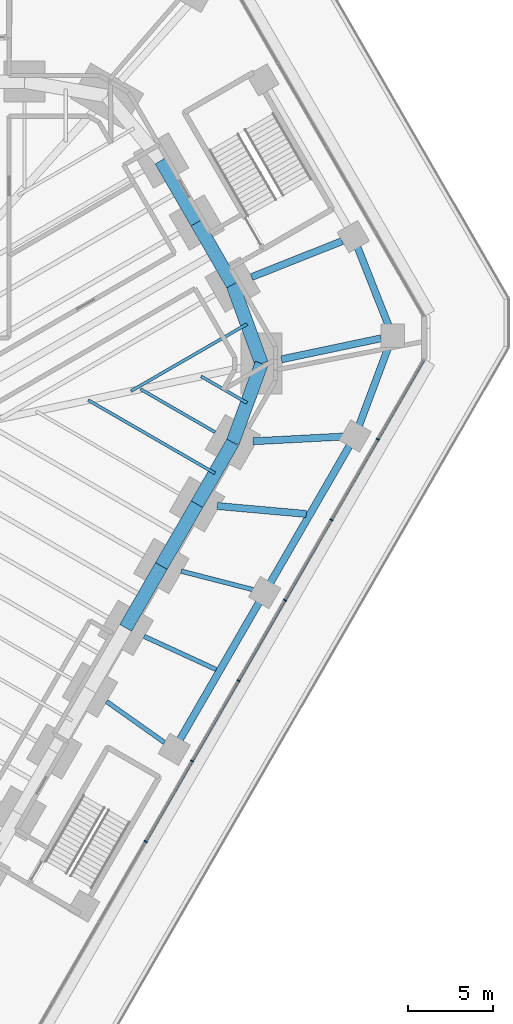
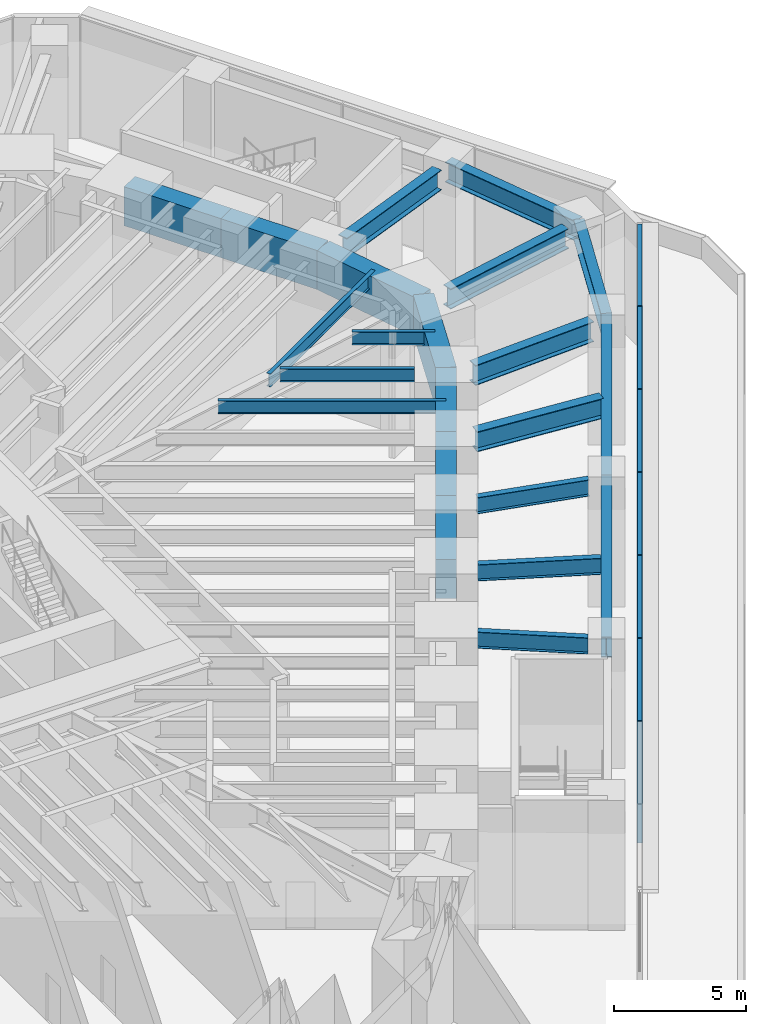
# One storey, part 8 of 24: 22 beams, 12 members, 1 element without a shape of its own.
"""IFC4 building model written with IfcOpenShell, lengths in metres."""

from ifc_helpers import new_model, si_unit, direction, frame, origin, origin_2d, place, context, subcontext, project, spatial, rectangle, i_section, extrude, material, material_profile, profile_set, type_object, element, aggregate, save


model = new_model("IFC4")

# Units and contexts
model_context = context("Model", 3, precision=1e-05, world=origin(), true_north=direction((0.0, 1.0)))
body_context = subcontext(model_context, "Body", "Model", "MODEL_VIEW")
ifc_project = project(units=[si_unit("LENGTHUNIT", "METRE"), si_unit("AREAUNIT", "SQUARE_METRE"), si_unit("VOLUMEUNIT", "CUBIC_METRE"), si_unit("PLANEANGLEUNIT", "RADIAN"), si_unit("MASSUNIT", "GRAM", prefix="KILO")], contexts=[model_context])

# Site, building, storey
site_placement = place(None, origin())
site = spatial("IfcSite", under=ifc_project, at=site_placement, CompositionType="ELEMENT")
building_placement = place(site_placement, origin())
building = spatial("IfcBuilding", under=site, at=building_placement, Name="Sandreach Pilgrim Tower", CompositionType="ELEMENT")
storey_placement = place(building_placement, frame((0.0, 0.0, 12.0)))
storey = spatial("IfcBuildingStorey", under=building, at=storey_placement, Name="L02", CompositionType="ELEMENT", Elevation=12.0)

# Curtain wall, members
ifc_material_1 = material(Name="Aluminium framed curtain wall", Category="aluminium")
curtain_wall_type = type_object("IfcCurtainWallType", Name="Podium storefront curtain wall", PredefinedType="NOTDEFINED", material=ifc_material_1)
curtain_wall_placement = place(storey_placement, origin())
curtain_wall = element("IfcCurtainWall", 1, at=curtain_wall_placement, inside=storey, type_object=curtain_wall_type, Name="CW-P L02 SE", PredefinedType="NOTDEFINED")
ifc_material_2 = material(Name="Aluminium extrusion", Category="aluminium")
ifc_material_profile_1 = material_profile(ifc_material_2, rectangle(XDim=0.070068359375, YDim=0.199951171875, at=origin_2d()), Name="CW-PM 70X200")
ifc_profile_set_1 = profile_set([ifc_material_profile_1], Name="Aluminium extrusion")
member_type_1 = type_object("IfcMemberType", Name="CW-P mullion", PredefinedType="MULLION", material=ifc_profile_set_1)
member_1_placement = place(storey_placement, frame((35.56982421875, 1.5869140625, 0.0), z_axis=(0.0, 0.0, 1.0), x_axis=(-0.5, -0.866025403784, 0.0)))
member_1 = element("IfcMember", 2, at=member_1_placement, type_object=member_type_1, Name="CW-P mullion 2", PredefinedType="MULLION", context=body_context, shape_type="SweptSolid", body=[
    extrude(rectangle(XDim=0.070068359375, YDim=0.199951171875, at=origin_2d()), origin(), (0.0, 0.0, 1.0), 5.60009765625),
])
member_2_placement = place(storey_placement, frame((32.832763671875, -3.153564453125, 0.0), z_axis=(0.0, 0.0, 1.0), x_axis=(-0.5, -0.866025403784, 0.0)))
member_2 = element("IfcMember", 3, at=member_2_placement, type_object=member_type_1, Name="CW-P mullion 3", PredefinedType="MULLION", context=body_context, shape_type="SweptSolid", body=[
    extrude(rectangle(XDim=0.070068359375, YDim=0.199951171875, at=origin_2d()), origin(), (0.0, 0.0, 1.0), 5.60009765625),
])
member_3_placement = place(storey_placement, frame((30.095703125, -7.894287109375, 0.0), z_axis=(0.0, 0.0, 1.0), x_axis=(-0.5, -0.866025403784, 0.0)))
member_3 = element("IfcMember", 4, at=member_3_placement, type_object=member_type_1, Name="CW-P mullion 4", PredefinedType="MULLION", context=body_context, shape_type="SweptSolid", body=[
    extrude(rectangle(XDim=0.070068359375, YDim=0.199951171875, at=origin_2d()), origin(), (0.0, 0.0, 1.0), 5.60009765625),
])
member_4_placement = place(storey_placement, frame((27.358642578125, -12.635009765625, 0.0), z_axis=(0.0, 0.0, 1.0), x_axis=(-0.5, -0.866025403784, 0.0)))
member_4 = element("IfcMember", 5, at=member_4_placement, type_object=member_type_1, Name="CW-P mullion 5", PredefinedType="MULLION", context=body_context, shape_type="SweptSolid", body=[
    extrude(rectangle(XDim=0.070068359375, YDim=0.199951171875, at=origin_2d()), origin(), (0.0, 0.0, 1.0), 5.60009765625),
])
member_5_placement = place(storey_placement, frame((24.62158203125, -17.375732421875, 0.0), z_axis=(0.0, 0.0, 1.0), x_axis=(-0.5, -0.866025403784, 0.0)))
member_5 = element("IfcMember", 6, at=member_5_placement, type_object=member_type_1, Name="CW-P mullion 6", PredefinedType="MULLION", context=body_context, shape_type="SweptSolid", body=[
    extrude(rectangle(XDim=0.070068359375, YDim=0.199951171875, at=origin_2d()), origin(), (0.0, 0.0, 1.0), 5.60009765625),
])
member_6_placement = place(storey_placement, frame((21.884521484375, -22.116455078125, 0.0), z_axis=(0.0, 0.0, 1.0), x_axis=(-0.5, -0.866025403784, 0.0)))
member_6 = element("IfcMember", 7, at=member_6_placement, type_object=member_type_1, Name="CW-P mullion 7", PredefinedType="MULLION", context=body_context, shape_type="SweptSolid", body=[
    extrude(rectangle(XDim=0.070068359375, YDim=0.199951171875, at=origin_2d()), origin(), (0.0, 0.0, 1.0), 5.60009765625),
])
ifc_material_3 = material(Name="Aluminium extrusion", Category="aluminium")
ifc_material_profile_2 = material_profile(ifc_material_3, rectangle(XDim=0.159912109375, YDim=0.070068359375, at=origin_2d()), Name="CW-PT 160X70")
ifc_profile_set_2 = profile_set([ifc_material_profile_2], Name="Aluminium extrusion")
member_type_2 = type_object("IfcMemberType", Name="CW-P transom", PredefinedType="USERDEFINED", material=ifc_profile_set_2)
member_7_placement = place(storey_placement, frame((38.27197265625, 6.26708984375, 5.56494140625), z_axis=(-0.500012418066, -0.866018234092, 0.0), x_axis=(0.866018234092, -0.500012418066, 0.0)))
member_7 = element("IfcMember", 8, at=member_7_placement, type_object=member_type_2, Name="CW-P head transom 1", ObjectType="TRANSOM", PredefinedType="USERDEFINED", context=body_context, shape_type="SweptSolid", body=[
    extrude(rectangle(XDim=0.159912109375, YDim=0.070068359375, at=origin_2d()), origin(), (0.0, 0.0, 1.0), 5.368896484375),
])
member_8_placement = place(storey_placement, frame((35.55224609375, 1.556640625, 5.56494140625), z_axis=(-0.499992297805, -0.866029850603, 0.0), x_axis=(0.866029850603, -0.499992297805, 0.0)))
member_8 = element("IfcMember", 9, at=member_8_placement, type_object=member_type_2, Name="CW-P head transom 2", ObjectType="TRANSOM", PredefinedType="USERDEFINED", context=body_context, shape_type="SweptSolid", body=[
    extrude(rectangle(XDim=0.159912109375, YDim=0.070068359375, at=origin_2d()), origin(), (0.0, 0.0, 1.0), 5.40380859375),
])
member_9_placement = place(storey_placement, frame((32.8154296875, -3.18408203125, 5.56494140625), z_axis=(-0.500026181004, -0.866010287647, 0.0), x_axis=(0.866010287647, -0.500026181004, 0.0)))
member_9 = element("IfcMember", 10, at=member_9_placement, type_object=member_type_2, Name="CW-P head transom 3", ObjectType="TRANSOM", PredefinedType="USERDEFINED", context=body_context, shape_type="SweptSolid", body=[
    extrude(rectangle(XDim=0.159912109375, YDim=0.070068359375, at=origin_2d()), origin(), (0.0, 0.0, 1.0), 5.404052734375),
])
member_10_placement = place(storey_placement, frame((30.078369140625, -7.9248046875, 5.56494140625), z_axis=(-0.500026181004, -0.866010287647, 0.0), x_axis=(0.866010287647, -0.500026181004, 0.0)))
member_10 = element("IfcMember", 11, at=member_10_placement, type_object=member_type_2, Name="CW-P head transom 4", ObjectType="TRANSOM", PredefinedType="USERDEFINED", context=body_context, shape_type="SweptSolid", body=[
    extrude(rectangle(XDim=0.159912109375, YDim=0.070068359375, at=origin_2d()), origin(), (0.0, 0.0, 1.0), 5.404052734375),
])
member_11_placement = place(storey_placement, frame((27.34130859375, -12.665283203125, 5.56494140625), z_axis=(-0.500006618465, -0.866021582578, 0.0), x_axis=(0.866021582578, -0.500006618465, 0.0)))
member_11 = element("IfcMember", 12, at=member_11_placement, type_object=member_type_2, Name="CW-P head transom 5", ObjectType="TRANSOM", PredefinedType="USERDEFINED", context=body_context, shape_type="SweptSolid", body=[
    extrude(rectangle(XDim=0.159912109375, YDim=0.070068359375, at=origin_2d()), origin(), (0.0, 0.0, 1.0), 5.404296875),
])
member_12_placement = place(storey_placement, frame((24.604248046875, -17.406005859375, 5.56494140625), z_axis=(-0.500006618465, -0.866021582578, 0.0), x_axis=(0.866021582578, -0.500006618465, 0.0)))
member_12 = element("IfcMember", 13, at=member_12_placement, type_object=member_type_2, Name="CW-P head transom 6", ObjectType="TRANSOM", PredefinedType="USERDEFINED", context=body_context, shape_type="SweptSolid", body=[
    extrude(rectangle(XDim=0.159912109375, YDim=0.070068359375, at=origin_2d()), origin(), (0.0, 0.0, 1.0), 5.404296875),
])
aggregate(curtain_wall, [member_1, member_2, member_3, member_4, member_5, member_6, member_7, member_8, member_9, member_10, member_11, member_12])

# Beams
ifc_material_4 = material(Name="Steel ASTM A992 Grade 50", Category="steel")
ifc_material_profile_3 = material_profile(ifc_material_4, i_section(OverallWidth=0.1787109375, OverallDepth=0.60205078125, WebThickness=0.010986328125, FlangeThickness=0.014892578125, at=origin_2d()), Name="W24X62")
ifc_profile_set_3 = profile_set([ifc_material_profile_3], Name="Steel ASTM A992 Grade 50")
beam_type_1 = type_object("IfcBeamType", Name="Floor beam W24X62", PredefinedType="BEAM", material=ifc_profile_set_3)
beam_1_placement = place(storey_placement, frame((25.97705078125, 2.016357421875, 5.5390625), z_axis=(-0.866027897259, 0.49999568115, 0.0), x_axis=(-0.49999568115, -0.866027897259, 0.0)))
element("IfcBeam", 14, at=beam_1_placement, inside=storey, type_object=beam_type_1, Name="BM L02 F14", PredefinedType="BEAM", context=body_context, shape_type="SweptSolid", body=[
    extrude(i_section(OverallWidth=0.1787109375, OverallDepth=0.60205078125, WebThickness=0.010986328125, FlangeThickness=0.014892578125, at=origin_2d()), origin(), (0.0, 0.0, 1.0), 5.0791015625),
])
beam_2_placement = place(storey_placement, frame((27.861328125, 8.390380859375, 5.5390625), z_axis=(-0.866028778003, -0.499994155636, 0.0), x_axis=(0.499994155636, -0.866028778003, 0.0)))
element("IfcBeam", 15, at=beam_2_placement, inside=storey, type_object=beam_type_1, Name="BM L02 FM12", PredefinedType="BEAM", context=body_context, shape_type="SweptSolid", body=[
    extrude(i_section(OverallWidth=0.1787109375, OverallDepth=0.60205078125, WebThickness=0.010986328125, FlangeThickness=0.014892578125, at=origin_2d()), origin(), (0.0, 0.0, 1.0), 7.90771484375),
])
beam_3_placement = place(storey_placement, frame((27.864501953125, 3.7392578125, 5.5390625), z_axis=(-0.866023718453, 0.500002919068, 0.0), x_axis=(-0.500002919068, -0.866023718453, 0.0)))
element("IfcBeam", 16, at=beam_3_placement, inside=storey, type_object=beam_type_1, Name="BM L02 FM13", PredefinedType="BEAM", context=body_context, shape_type="SweptSolid", body=[
    extrude(i_section(OverallWidth=0.1787109375, OverallDepth=0.60205078125, WebThickness=0.010986328125, FlangeThickness=0.014892578125, at=origin_2d()), origin(), (0.0, 0.0, 1.0), 3.1396484375),
])
beam_4_placement = place(storey_placement, frame((25.9638671875, -0.40673828125, 5.5390625), z_axis=(-0.866020100198, 0.500009185969, 0.0), x_axis=(-0.500009185969, -0.866020100198, 0.0)))
element("IfcBeam", 17, at=beam_4_placement, inside=storey, type_object=beam_type_1, Name="BM L02 FM14", PredefinedType="BEAM", context=body_context, shape_type="SweptSolid", body=[
    extrude(i_section(OverallWidth=0.1787109375, OverallDepth=0.60205078125, WebThickness=0.010986328125, FlangeThickness=0.014892578125, at=origin_2d()), origin(), (0.0, 0.0, 1.0), 8.623291015625),
])
ifc_material_5 = material(Name="Steel ASTM A992 Grade 50", Category="steel")
ifc_material_profile_4 = material_profile(ifc_material_5, i_section(OverallWidth=0.2666015625, OverallDepth=0.7568359375, WebThickness=0.013916015625, FlangeThickness=0.019287109375, at=origin_2d()), Name="W30X108")
ifc_profile_set_4 = profile_set([ifc_material_profile_4], Name="Steel ASTM A992 Grade 50")
beam_type_2 = type_object("IfcBeamType", Name="Podium beam W30X108", PredefinedType="BEAM", material=ifc_profile_set_4)
beam_5_placement = place(storey_placement, frame((23.968505859375, -6.1748046875, 5.221435546875), z_axis=(0.9683748542, -0.249499783074, 0.0), x_axis=(0.249499783074, 0.9683748542, 0.0)))
element("IfcBeam", 18, at=beam_5_placement, inside=storey, type_object=beam_type_2, Name="BM L02 PR125-16", PredefinedType="BEAM", context=body_context, shape_type="SweptSolid", body=[
    extrude(i_section(OverallWidth=0.2666015625, OverallDepth=0.7568359375, WebThickness=0.013916015625, FlangeThickness=0.019287109375, at=origin_2d()), origin(), (0.0, 0.0, 1.0), 4.392578125),
])
beam_6_placement = place(storey_placement, frame((21.791748046875, -10.02294921875, 5.221435546875), z_axis=(0.908519391359, -0.417842692319, 0.0), x_axis=(0.417842692319, 0.908519391359, 0.0)))
element("IfcBeam", 19, at=beam_6_placement, inside=storey, type_object=beam_type_2, Name="BM L02 PR125-17", PredefinedType="BEAM", context=body_context, shape_type="SweptSolid", body=[
    extrude(i_section(OverallWidth=0.2666015625, OverallDepth=0.7568359375, WebThickness=0.013916015625, FlangeThickness=0.019287109375, at=origin_2d()), origin(), (0.0, 0.0, 1.0), 4.676025390625),
])
beam_7_placement = place(storey_placement, frame((19.575927734375, -13.86083984375, 5.221435546875), z_axis=(0.81612528813, -0.577874998659, 0.0), x_axis=(0.577874998659, 0.81612528813, 0.0)))
element("IfcBeam", 20, at=beam_7_placement, inside=storey, type_object=beam_type_2, Name="BM L02 PR125-18", PredefinedType="BEAM", context=body_context, shape_type="SweptSolid", body=[
    extrude(i_section(OverallWidth=0.2666015625, OverallDepth=0.7568359375, WebThickness=0.013916015625, FlangeThickness=0.019287109375, at=origin_2d()), origin(), (0.0, 0.0, 1.0), 4.18798828125),
])
ifc_material_6 = material(Name="Steel ASTM A992 Grade 50", Category="steel")
ifc_material_profile_5 = material_profile(ifc_material_6, i_section(OverallWidth=0.419189453125, OverallDepth=0.927001953125, WebThickness=0.019287109375, FlangeThickness=0.031982421875, at=origin_2d()), Name="W36X231")
ifc_profile_set_5 = profile_set([ifc_material_profile_5], Name="Steel ASTM A992 Grade 50")
beam_type_3 = type_object("IfcBeamType", Name="Podium beam W36X231", PredefinedType="BEAM", material=ifc_profile_set_5)
beam_8_placement = place(storey_placement, frame((28.12548828125, 11.161376953125, 5.136474609375), z_axis=(0.929487712138, 0.368853077776, 0.0), x_axis=(-0.368853077776, 0.929487712138, 0.0)))
element("IfcBeam", 21, at=beam_8_placement, inside=storey, type_object=beam_type_3, Name="BM L02 PR125-12", PredefinedType="BEAM", context=body_context, shape_type="SweptSolid", body=[
    extrude(i_section(OverallWidth=0.419189453125, OverallDepth=0.927001953125, WebThickness=0.019287109375, FlangeThickness=0.031982421875, at=origin_2d()), origin(), (0.0, 0.0, 1.0), 5.759033203125),
])
beam_9_placement = place(storey_placement, frame((29.88671875, 6.31005859375, 5.136474609375), z_axis=(0.978427888688, 0.206588641113, 0.0), x_axis=(-0.206588641113, 0.978427888688, 0.0)))
element("IfcBeam", 22, at=beam_9_placement, inside=storey, type_object=beam_type_3, Name="BM L02 PR125-13", PredefinedType="BEAM", context=body_context, shape_type="SweptSolid", body=[
    extrude(i_section(OverallWidth=0.419189453125, OverallDepth=0.927001953125, WebThickness=0.019287109375, FlangeThickness=0.031982421875, at=origin_2d()), origin(), (0.0, 0.0, 1.0), 6.0009765625),
])
beam_10_placement = place(storey_placement, frame((28.214599609375, 1.47900390625, 5.136474609375), z_axis=(0.998627810004, 0.052368856067, 0.0), x_axis=(-0.052368856067, 0.998627810004, 0.0)))
element("IfcBeam", 23, at=beam_10_placement, inside=storey, type_object=beam_type_3, Name="BM L02 PR125-14", PredefinedType="BEAM", context=body_context, shape_type="SweptSolid", body=[
    extrude(i_section(OverallWidth=0.419189453125, OverallDepth=0.927001953125, WebThickness=0.019287109375, FlangeThickness=0.031982421875, at=origin_2d()), origin(), (0.0, 0.0, 1.0), 5.32861328125),
])
beam_11_placement = place(storey_placement, frame((26.106689453125, -2.336669921875, 5.136474609375), z_axis=(0.996020541278, -0.089123966209, 0.0), x_axis=(0.089123966209, 0.996020541278, 0.0)))
element("IfcBeam", 24, at=beam_11_placement, inside=storey, type_object=beam_type_3, Name="BM L02 PR125-15", PredefinedType="BEAM", context=body_context, shape_type="SweptSolid", body=[
    extrude(i_section(OverallWidth=0.419189453125, OverallDepth=0.927001953125, WebThickness=0.019287109375, FlangeThickness=0.031982421875, at=origin_2d()), origin(), (0.0, 0.0, 1.0), 5.2705078125),
])
ifc_material_7 = material(Name="Steel ASTM A992 Grade 50", Category="steel")
ifc_material_profile_6 = material_profile(ifc_material_7, i_section(OverallWidth=0.419189453125, OverallDepth=0.927001953125, WebThickness=0.019287109375, FlangeThickness=0.031982421875, at=origin_2d()), Name="W36X231")
ifc_profile_set_6 = profile_set([ifc_material_profile_6], Name="Steel ASTM A992 Grade 50")
beam_type_4 = type_object("IfcBeamType", Name="Podium edge beam W36X231", PredefinedType="BEAM", material=ifc_profile_set_6)
beam_12_placement = place(storey_placement, frame((34.129150390625, 13.5439453125, 5.136474609375), z_axis=(0.367875090732, -0.929875216155, 0.0), x_axis=(0.929875216155, 0.367875090732, 0.0)))
element("IfcBeam", 25, at=beam_12_placement, inside=storey, type_object=beam_type_4, Name="BM L02 PE125-12", PredefinedType="BEAM", context=body_context, shape_type="SweptSolid", body=[
    extrude(i_section(OverallWidth=0.419189453125, OverallDepth=0.927001953125, WebThickness=0.019287109375, FlangeThickness=0.031982421875, at=origin_2d()), origin(), (0.0, 0.0, 1.0), 6.290771484375),
])
beam_13_placement = place(storey_placement, frame((36.443359375, 7.6943359375, 5.136474609375), z_axis=(-0.350583989039, -0.936531295061, 0.0), x_axis=(0.936531295061, -0.350583989039, 0.0)))
element("IfcBeam", 26, at=beam_13_placement, inside=storey, type_object=beam_type_4, Name="BM L02 PE125-13", PredefinedType="BEAM", context=body_context, shape_type="SweptSolid", body=[
    extrude(i_section(OverallWidth=0.419189453125, OverallDepth=0.927001953125, WebThickness=0.019287109375, FlangeThickness=0.031982421875, at=origin_2d()), origin(), (0.0, 0.0, 1.0), 6.299560546875),
])
ifc_material_8 = material(Name="Steel ASTM A992 Grade 50", Category="steel")
ifc_material_profile_7 = material_profile(ifc_material_8, i_section(OverallWidth=0.424072265625, OverallDepth=0.947509765625, WebThickness=0.02392578125, FlangeThickness=0.042724609375, at=origin_2d()), Name="W36X302")
ifc_profile_set_7 = profile_set([ifc_material_profile_7], Name="Steel ASTM A992 Grade 50")
beam_type_5 = type_object("IfcBeamType", Name="Podium edge beam W36X302", PredefinedType="BEAM", material=ifc_profile_set_7)
beam_14_placement = place(storey_placement, frame((34.23486328125, 1.794677734375, 5.126220703125), z_axis=(-0.500000418093, -0.866025162398, 0.0), x_axis=(0.866025162398, -0.500000418093, 0.0)))
element("IfcBeam", 27, at=beam_14_placement, inside=storey, type_object=beam_type_5, Name="BM L02 PE125-14", PredefinedType="BEAM", context=body_context, shape_type="SweptSolid", body=[
    extrude(i_section(OverallWidth=0.424072265625, OverallDepth=0.947509765625, WebThickness=0.02392578125, FlangeThickness=0.042724609375, at=origin_2d()), origin(), (0.0, 0.0, 1.0), 10.66943359375),
])
beam_15_placement = place(storey_placement, frame((28.900146484375, -7.4453125, 5.126220703125), z_axis=(-0.499990509939, -0.866030882805, 0.0), x_axis=(0.866030882805, -0.499990509939, 0.0)))
element("IfcBeam", 28, at=beam_15_placement, inside=storey, type_object=beam_type_5, Name="BM L02 PE125-16", PredefinedType="BEAM", context=body_context, shape_type="SweptSolid", body=[
    extrude(i_section(OverallWidth=0.424072265625, OverallDepth=0.947509765625, WebThickness=0.02392578125, FlangeThickness=0.042724609375, at=origin_2d()), origin(), (0.0, 0.0, 1.0), 10.669677734375),
])
ifc_material_9 = material(Name="Concrete 10000 psi", Category="concrete")
ifc_material_profile_8 = material_profile(ifc_material_9, rectangle(XDim=0.800048828125, YDim=1.800048828125, at=origin_2d()), Name="RC800X1800")
ifc_profile_set_8 = profile_set([ifc_material_profile_8], Name="Concrete 10000 psi")
beam_type_6 = type_object("IfcBeamType", Name="Spandrel beam RC800X1800", PredefinedType="SPANDREL", material=ifc_profile_set_8)
beam_16_placement = place(storey_placement, frame((22.787841796875, 18.031982421875, 4.93994140625), z_axis=(0.500001084989, -0.866024777365, 0.0), x_axis=(0.866024777365, 0.500001084989, 0.0)))
element("IfcBeam", 29, at=beam_16_placement, inside=storey, type_object=beam_type_6, Name="BM L02 SP10", PredefinedType="SPANDREL", context=body_context, shape_type="SweptSolid", body=[
    extrude(rectangle(XDim=0.800048828125, YDim=1.800048828125, at=origin_2d()), origin(), (0.0, 0.0, 1.0), 4.22216796875),
])
beam_17_placement = place(storey_placement, frame((24.89892578125, 14.37548828125, 4.93994140625), z_axis=(0.500019412692, -0.866014195571, 0.0), x_axis=(0.866014195571, 0.500019412692, 0.0)))
element("IfcBeam", 30, at=beam_17_placement, inside=storey, type_object=beam_type_6, Name="BM L02 SP11", PredefinedType="SPANDREL", context=body_context, shape_type="SweptSolid", body=[
    extrude(rectangle(XDim=0.800048828125, YDim=1.800048828125, at=origin_2d()), origin(), (0.0, 0.0, 1.0), 4.222412109375),
])
beam_18_placement = place(storey_placement, frame((27.01025390625, 10.71875, 4.93994140625), z_axis=(0.343367552823, -0.939201109278, 0.0), x_axis=(0.939201109278, 0.343367552823, 0.0)))
element("IfcBeam", 31, at=beam_18_placement, inside=storey, type_object=beam_type_6, Name="BM L02 SP12", PredefinedType="SPANDREL", context=body_context, shape_type="SweptSolid", body=[
    extrude(rectangle(XDim=0.800048828125, YDim=1.800048828125, at=origin_2d()), origin(), (0.0, 0.0, 1.0), 4.9580078125),
])
beam_19_placement = place(storey_placement, frame((28.712646484375, 6.062255859375, 4.93994140625), z_axis=(-0.342963480301, -0.939348737786, 0.0), x_axis=(0.939348737786, -0.342963480301, 0.0)))
element("IfcBeam", 32, at=beam_19_placement, inside=storey, type_object=beam_type_6, Name="BM L02 SP13", PredefinedType="SPANDREL", context=body_context, shape_type="SweptSolid", body=[
    extrude(rectangle(XDim=0.800048828125, YDim=1.800048828125, at=origin_2d()), origin(), (0.0, 0.0, 1.0), 4.946044921875),
])
beam_20_placement = place(storey_placement, frame((27.016357421875, 1.416259765625, 4.93994140625), z_axis=(-0.499993523031, -0.866029143232, 0.0), x_axis=(0.866029143232, -0.499993523031, 0.0)))
element("IfcBeam", 33, at=beam_20_placement, inside=storey, type_object=beam_type_6, Name="BM L02 SP14", PredefinedType="SPANDREL", context=body_context, shape_type="SweptSolid", body=[
    extrude(rectangle(XDim=0.800048828125, YDim=1.800048828125, at=origin_2d()), origin(), (0.0, 0.0, 1.0), 4.2099609375),
])
beam_21_placement = place(storey_placement, frame((24.911376953125, -2.229736328125, 4.93994140625), z_axis=(-0.50001863446, -0.866014644907, 0.0), x_axis=(0.866014644907, -0.50001863446, 0.0)))
element("IfcBeam", 34, at=beam_21_placement, inside=storey, type_object=beam_type_6, Name="BM L02 SP15", PredefinedType="SPANDREL", context=body_context, shape_type="SweptSolid", body=[
    extrude(rectangle(XDim=0.800048828125, YDim=1.800048828125, at=origin_2d()), origin(), (0.0, 0.0, 1.0), 4.209716796875),
])
beam_22_placement = place(storey_placement, frame((22.806396484375, -5.87548828125, 4.93994140625), z_axis=(-0.499993523031, -0.866029143232, 0.0), x_axis=(0.866029143232, -0.499993523031, 0.0)))
element("IfcBeam", 35, at=beam_22_placement, inside=storey, type_object=beam_type_6, Name="BM L02 SP16", PredefinedType="SPANDREL", context=body_context, shape_type="SweptSolid", body=[
    extrude(rectangle(XDim=0.800048828125, YDim=1.800048828125, at=origin_2d()), origin(), (0.0, 0.0, 1.0), 4.2099609375),
])

save(model, "model.ifc")
